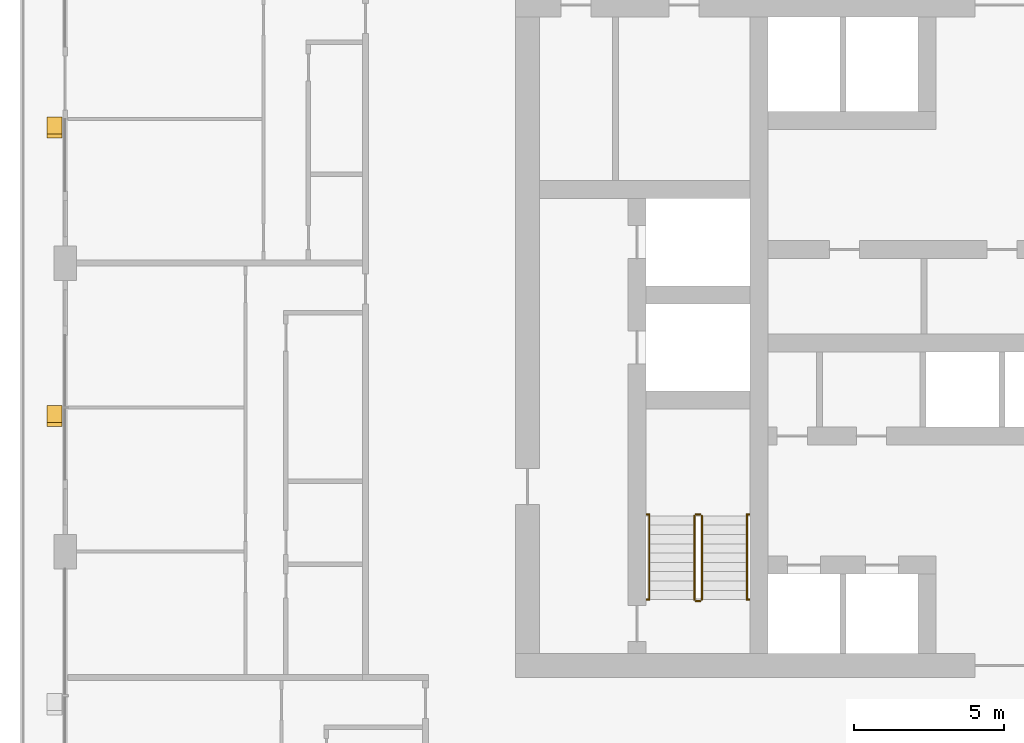
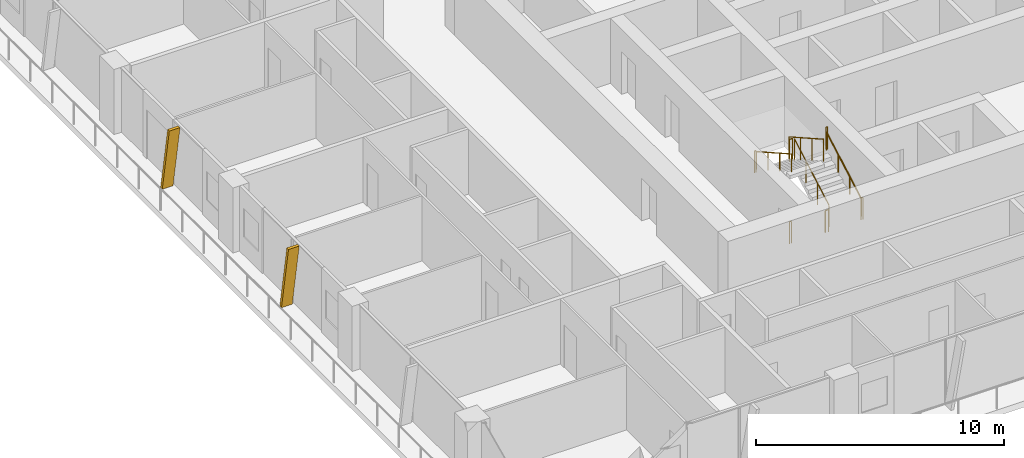
# One storey, part 17 of 22: 10 railings, 2 shading devices.
"""IFC4 building model written with IfcOpenShell, lengths in metres."""

from ifc_helpers import new_model, si_unit, direction, frame, origin, origin_2d, place, context, subcontext, project, spatial, polyline, circle, outline, extrude, material, type_object, element, save


model = new_model("IFC4")

# Units and contexts
model_context = context("Model", 3, precision=1e-05, world=origin(), true_north=direction((0.0, 1.0)))
body_context = subcontext(model_context, "Body", "Model", "MODEL_VIEW")
ifc_project = project(units=[si_unit("LENGTHUNIT", "METRE"), si_unit("AREAUNIT", "SQUARE_METRE"), si_unit("VOLUMEUNIT", "CUBIC_METRE"), si_unit("PLANEANGLEUNIT", "RADIAN"), si_unit("MASSUNIT", "GRAM", prefix="KILO")], contexts=[model_context])

# Site, building, storey
site_placement = place(None, origin())
site = spatial("IfcSite", under=ifc_project, at=site_placement, CompositionType="ELEMENT")
building_placement = place(site_placement, origin())
building = spatial("IfcBuilding", under=site, at=building_placement, Name="Madar Terraces", CompositionType="ELEMENT")
storey_placement = place(building_placement, frame((0.0, 0.0, 122.60009765625)))
storey = spatial("IfcBuildingStorey", under=building, at=storey_placement, Name="L31", CompositionType="ELEMENT", Elevation=122.60009765625)

# Shading devices
ifc_material_1 = material(Name="Aluminium, black anodised", Category="aluminium")
shading_device_type = type_object("IfcShadingDeviceType", Name="Facade fin blade 140 x 500", PredefinedType="USERDEFINED", material=ifc_material_1)
shading_device_1_placement = place(storey_placement, frame((-0.35009765625, 33.669921875, 0.0), z_axis=(0.0, 0.0, 1.0), x_axis=(0.0, -1.0, 0.0)))
element("IfcShadingDevice", 1, at=shading_device_1_placement, inside=storey, type_object=shading_device_type, Name="FIN L31 W2", ObjectType="FIN", PredefinedType="USERDEFINED", context=body_context, shape_type="SweptSolid", body=[
    extrude(outline(polyline([(0.0, 0.0), (0.139892578125, 0.0), (0.704345703125, 3.199951171875), (0.564208984375, 3.199951171875), (0.0, 0.0)])), frame((0.0, 0.25, 0.0), z_axis=(0.0, -1.0, 0.0), x_axis=(1.0, 0.0, 0.0)), (0.0, 0.0, 1.0), 0.5),
])
shading_device_2_placement = place(storey_placement, frame((-0.35009765625, 24.070068359375, 0.0), z_axis=(0.0, 0.0, 1.0), x_axis=(0.0, -1.0, 0.0)))
element("IfcShadingDevice", 2, at=shading_device_2_placement, inside=storey, type_object=shading_device_type, Name="FIN L31 W3", ObjectType="FIN", PredefinedType="USERDEFINED", context=body_context, shape_type="SweptSolid", body=[
    extrude(outline(polyline([(0.0, 0.0), (0.14013671875, 0.0), (0.704345703125, 3.199951171875), (0.564208984375, 3.199951171875), (0.0, 0.0)])), frame((0.0, 0.25, 0.0), z_axis=(0.0, -1.0, 0.0), x_axis=(1.0, 0.0, 0.0)), (0.0, 0.0, 1.0), 0.5),
])

# Railings
ifc_material_2 = material(Name="Stainless steel railing", Category="steel")
railing_type_1 = type_object("IfcRailingType", Name="Stair guard 1100", PredefinedType="GUARDRAIL", material=ifc_material_2)
railing_1_placement = place(storey_placement, frame((21.199951171875, 17.60009765625, 0.1748046875)))
element("IfcRailing", 3, at=railing_1_placement, inside=storey, type_object=railing_type_1, Name="L31 ST1 stair guard 1", PredefinedType="GUARDRAIL", context=body_context, shape_type="SweptSolid", body=[
    extrude(circle(Radius=0.02392578125, at=origin_2d()), frame((0.0, 0.0, 1.076171875), z_axis=(0.0, 0.870782738816, 0.491667999549), x_axis=(-1.0, 0.0, 0.0)), (0.0, 0.0, 1.0), 3.203857421875),
    extrude(circle(Radius=0.02099609375, at=origin_2d()), origin(), (0.0, 0.0, 1.0), 1.052001953125),
    extrude(circle(Radius=0.02099609375, at=origin_2d()), frame((0.0, 0.929931640625, 0.525146484375)), (0.0, 0.0, 1.0), 1.052001953125),
    extrude(circle(Radius=0.02099609375, at=origin_2d()), frame((0.0, 1.85986328125, 1.050048828125)), (0.0, 0.0, 1.0), 1.052001953125),
    extrude(circle(Radius=0.02099609375, at=origin_2d()), frame((0.0, 2.789794921875, 1.5751953125)), (0.0, 0.0, 1.0), 1.052001953125),
])
railing_2_placement = place(storey_placement, frame((21.14990234375, 20.43994140625, 1.75)))
element("IfcRailing", 4, at=railing_2_placement, inside=storey, type_object=railing_type_1, Name="L31 ST1 stair guard 2", PredefinedType="GUARDRAIL", context=body_context, shape_type="SweptSolid", body=[
    extrude(circle(Radius=0.02392578125, at=origin_2d()), frame((0.0, 0.0, 1.076171875), z_axis=(-1.0, 0.0, 0.0), x_axis=(0.0, -1.0, 0.0)), (0.0, 0.0, 1.0), 0.14990234375),
    extrude(circle(Radius=0.02099609375, at=origin_2d()), origin(), (0.0, 0.0, 1.0), 1.052001953125),
    extrude(circle(Radius=0.02099609375, at=origin_2d()), frame((-0.14990234375, 0.0, 0.0)), (0.0, 0.0, 1.0), 1.052001953125),
])
railing_3_placement = place(storey_placement, frame((20.949951171875, 20.389892578125, 1.9248046875)))
element("IfcRailing", 5, at=railing_3_placement, inside=storey, type_object=railing_type_1, Name="L31 ST1 stair guard 3", PredefinedType="GUARDRAIL", context=body_context, shape_type="SweptSolid", body=[
    extrude(circle(Radius=0.02392578125, at=origin_2d()), frame((0.0, 0.0, 1.076171875), z_axis=(0.0, -0.870782738816, 0.491667999549), x_axis=(1.0, 0.0, 0.0)), (0.0, 0.0, 1.0), 3.203857421875),
    extrude(circle(Radius=0.02099609375, at=origin_2d()), origin(), (0.0, 0.0, 1.0), 1.052001953125),
    extrude(circle(Radius=0.02099609375, at=origin_2d()), frame((0.0, -0.929931640625, 0.525146484375)), (0.0, 0.0, 1.0), 1.052001953125),
    extrude(circle(Radius=0.02099609375, at=origin_2d()), frame((0.0, -1.85986328125, 1.050048828125)), (0.0, 0.0, 1.0), 1.052001953125),
    extrude(circle(Radius=0.02099609375, at=origin_2d()), frame((0.0, -2.789794921875, 1.5751953125)), (0.0, 0.0, 1.0), 1.052001953125),
])
railing_4_placement = place(storey_placement, frame((21.14990234375, 17.550048828125, 0.0)))
element("IfcRailing", 6, at=railing_4_placement, inside=storey, type_object=railing_type_1, Name="L31 ST1 stair guard 4", PredefinedType="GUARDRAIL", context=body_context, shape_type="SweptSolid", body=[
    extrude(circle(Radius=0.02392578125, at=origin_2d()), frame((0.0, 0.0, 1.076171875), z_axis=(-1.0, 0.0, 0.0), x_axis=(0.0, -1.0, 0.0)), (0.0, 0.0, 1.0), 0.14990234375),
    extrude(circle(Radius=0.02099609375, at=origin_2d()), origin(), (0.0, 0.0, 1.0), 1.052001953125),
    extrude(circle(Radius=0.02099609375, at=origin_2d()), frame((-0.14990234375, 0.0, 0.0)), (0.0, 0.0, 1.0), 1.052001953125),
])
railing_5_placement = place(storey_placement, frame((19.3701171875, 20.43994140625, 1.75)))
element("IfcRailing", 7, at=railing_5_placement, inside=storey, type_object=railing_type_1, Name="L31 stair guard seat 1", PredefinedType="GUARDRAIL", context=body_context, shape_type="SweptSolid", body=[
    extrude(circle(Radius=0.02392578125, at=origin_2d()), frame((0.0, 0.0, 1.076171875), z_axis=(1.0, 0.0, 0.0), x_axis=(0.0, 1.0, 0.0)), (0.0, 0.0, 1.0), 0.079833984375),
    extrude(circle(Radius=0.02099609375, at=origin_2d()), origin(), (0.0, 0.0, 1.0), 1.052001953125),
    extrude(circle(Radius=0.02099609375, at=origin_2d()), frame((0.079833984375, 0.0, 0.0)), (0.0, 0.0, 1.0), 1.052001953125),
])
railing_6_placement = place(storey_placement, frame((22.699951171875, 20.43994140625, 1.75)))
element("IfcRailing", 8, at=railing_6_placement, inside=storey, type_object=railing_type_1, Name="L31 stair guard seat 2", PredefinedType="GUARDRAIL", context=body_context, shape_type="SweptSolid", body=[
    extrude(circle(Radius=0.02392578125, at=origin_2d()), frame((0.0, 0.0, 1.076171875), z_axis=(1.0, 0.0, 0.0), x_axis=(0.0, 1.0, 0.0)), (0.0, 0.0, 1.0), 0.080078125),
    extrude(circle(Radius=0.02099609375, at=origin_2d()), origin(), (0.0, 0.0, 1.0), 1.052001953125),
    extrude(circle(Radius=0.02099609375, at=origin_2d()), frame((0.080078125, 0.0, 0.0)), (0.0, 0.0, 1.0), 1.052001953125),
])
railing_7_placement = place(storey_placement, frame((19.3701171875, 17.60009765625, 0.0)))
element("IfcRailing", 9, at=railing_7_placement, inside=storey, type_object=railing_type_1, Name="L31 stair guard floor 1", PredefinedType="GUARDRAIL", context=body_context, shape_type="SweptSolid", body=[
    extrude(circle(Radius=0.02392578125, at=origin_2d()), frame((0.0, 0.0, 1.076171875), z_axis=(1.0, 0.0, 0.0), x_axis=(0.0, 1.0, 0.0)), (0.0, 0.0, 1.0), 0.079833984375),
    extrude(circle(Radius=0.02099609375, at=origin_2d()), origin(), (0.0, 0.0, 1.0), 1.052001953125),
    extrude(circle(Radius=0.02099609375, at=origin_2d()), frame((0.079833984375, 0.0, 0.0)), (0.0, 0.0, 1.0), 1.052001953125),
])
railing_8_placement = place(storey_placement, frame((22.699951171875, 17.60009765625, 0.0)))
element("IfcRailing", 10, at=railing_8_placement, inside=storey, type_object=railing_type_1, Name="L31 stair guard floor 2", PredefinedType="GUARDRAIL", context=body_context, shape_type="SweptSolid", body=[
    extrude(circle(Radius=0.02392578125, at=origin_2d()), frame((0.0, 0.0, 1.076171875), z_axis=(1.0, 0.0, 0.0), x_axis=(0.0, 1.0, 0.0)), (0.0, 0.0, 1.0), 0.080078125),
    extrude(circle(Radius=0.02099609375, at=origin_2d()), origin(), (0.0, 0.0, 1.0), 1.052001953125),
    extrude(circle(Radius=0.02099609375, at=origin_2d()), frame((0.080078125, 0.0, 0.0)), (0.0, 0.0, 1.0), 1.052001953125),
])
ifc_material_3 = material(Name="Stainless steel railing", Category="steel")
railing_type_2 = type_object("IfcRailingType", Name="Stair handrail 900", PredefinedType="HANDRAIL", material=ifc_material_3)
railing_9_placement = place(storey_placement, frame((22.699951171875, 17.60009765625, 0.1748046875)))
element("IfcRailing", 11, at=railing_9_placement, inside=storey, type_object=railing_type_2, Name="L31 ST1 stair handrail 1", PredefinedType="HANDRAIL", context=body_context, shape_type="SweptSolid", body=[
    extrude(circle(Radius=0.02392578125, at=origin_2d()), frame((0.0, 0.0, 0.8759765625), z_axis=(0.0, 0.870782738816, 0.491667999549), x_axis=(-1.0, 0.0, 0.0)), (0.0, 0.0, 1.0), 3.203857421875),
    extrude(circle(Radius=0.02099609375, at=origin_2d()), origin(), (0.0, 0.0, 1.0), 0.851806640625),
    extrude(circle(Radius=0.02099609375, at=origin_2d()), frame((0.0, 0.929931640625, 0.525146484375)), (0.0, 0.0, 1.0), 0.851806640625),
    extrude(circle(Radius=0.02099609375, at=origin_2d()), frame((0.0, 1.85986328125, 1.050048828125)), (0.0, 0.0, 1.0), 0.851806640625),
    extrude(circle(Radius=0.02099609375, at=origin_2d()), frame((0.0, 2.789794921875, 1.5751953125)), (0.0, 0.0, 1.0), 0.851806640625),
])
railing_10_placement = place(storey_placement, frame((19.449951171875, 20.389892578125, 1.9248046875)))
element("IfcRailing", 12, at=railing_10_placement, inside=storey, type_object=railing_type_2, Name="L31 ST1 stair handrail 2", PredefinedType="HANDRAIL", context=body_context, shape_type="SweptSolid", body=[
    extrude(circle(Radius=0.02392578125, at=origin_2d()), frame((0.0, 0.0, 0.8759765625), z_axis=(0.0, -0.870782738816, 0.491667999549), x_axis=(1.0, 0.0, 0.0)), (0.0, 0.0, 1.0), 3.203857421875),
    extrude(circle(Radius=0.02099609375, at=origin_2d()), origin(), (0.0, 0.0, 1.0), 0.851806640625),
    extrude(circle(Radius=0.02099609375, at=origin_2d()), frame((0.0, -0.929931640625, 0.525146484375)), (0.0, 0.0, 1.0), 0.851806640625),
    extrude(circle(Radius=0.02099609375, at=origin_2d()), frame((0.0, -1.85986328125, 1.050048828125)), (0.0, 0.0, 1.0), 0.851806640625),
    extrude(circle(Radius=0.02099609375, at=origin_2d()), frame((0.0, -2.789794921875, 1.5751953125)), (0.0, 0.0, 1.0), 0.851806640625),
])

save(model, "model.ifc")
